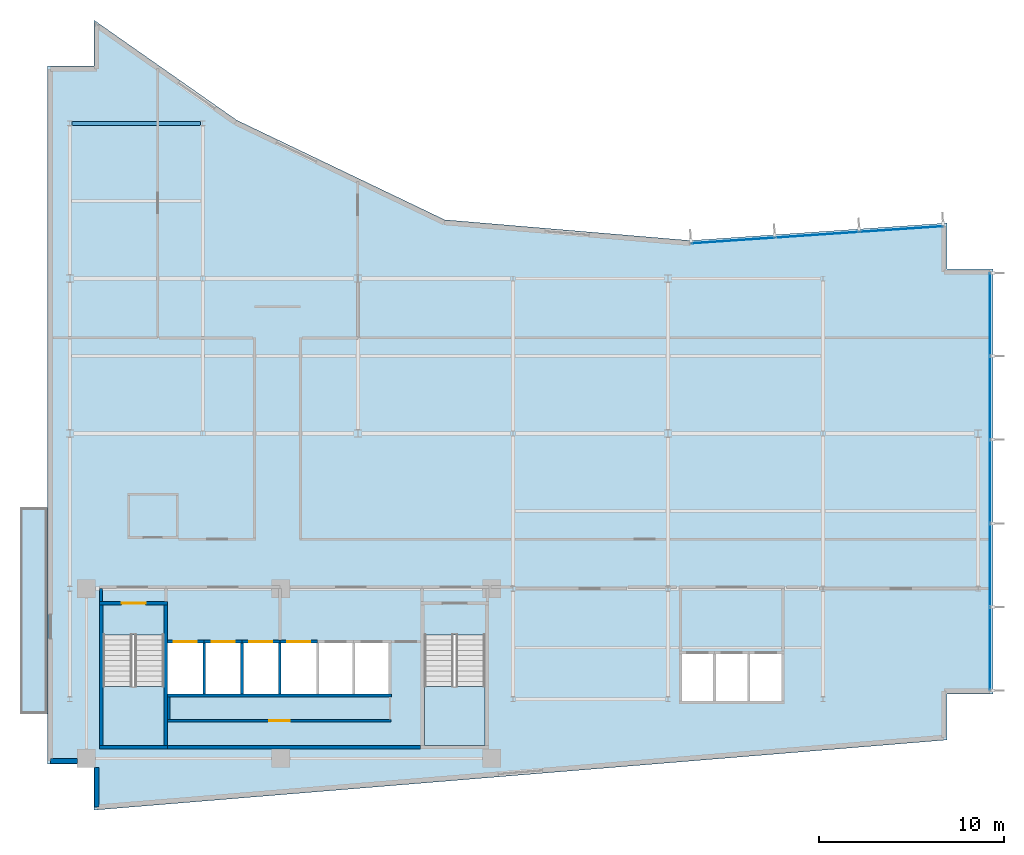
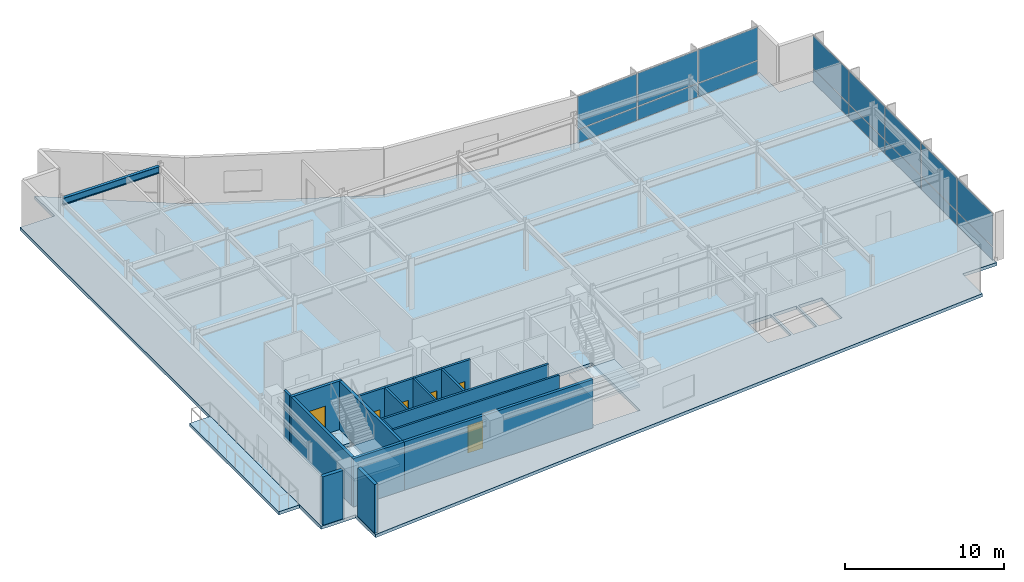
# One storey, part 10 of 16: 18 walls, 16 plates, 6 doors, 4 slabs, 1 beam, 6 openings, 4 elements without a shape of their own.
"""IFC4 building model written with IfcOpenShell, lengths in metres."""

from ifc_helpers import new_model, si_unit, direction, frame, frame_2d, origin, origin_2d, place, context, subcontext, project, spatial, polyline, rectangle, i_section, outline, extrude, material, layer, layer_set, material_profile, profile_set, type_object, element, fill, aggregate, save


model = new_model("IFC4")

# Units and contexts
model_context = context("Model", 3, precision=1e-05, world=origin(), true_north=direction((0.0, 1.0)))
body_context = subcontext(model_context, "Body", "Model", "MODEL_VIEW")
ifc_project = project(units=[si_unit("LENGTHUNIT", "METRE"), si_unit("AREAUNIT", "SQUARE_METRE"), si_unit("VOLUMEUNIT", "CUBIC_METRE"), si_unit("PLANEANGLEUNIT", "RADIAN"), si_unit("MASSUNIT", "GRAM", prefix="KILO")], contexts=[model_context])

# Site, building, storey
site_placement = place(None, origin())
site = spatial("IfcSite", under=ifc_project, at=site_placement, CompositionType="ELEMENT")
building_placement = place(site_placement, origin())
building = spatial("IfcBuilding", under=site, at=building_placement, Name="Varnakote Quay Hospital", CompositionType="ELEMENT")
storey_placement = place(building_placement, frame((0.0, 0.0, 180.25)))
storey = spatial("IfcBuildingStorey", under=building, at=storey_placement, Name="L44", CompositionType="ELEMENT", Elevation=180.25)

# Beam
ifc_material_1 = material(Name="Structural steel AS/NZS 3679.1 Grade 350 L0 (fy 340 MPa)", Category="steel")
ifc_material_profile = material_profile(ifc_material_1, i_section(OverallWidth=0.208984375, OverallDepth=0.532958984375, WebThickness=0.01025390625, FlangeThickness=0.015625, FilletRadius=0.013916015625, at=origin_2d()), Name="530UB92.4")
ifc_profile_set = profile_set([ifc_material_profile], Name="Structural steel AS/NZS 3679.1 Grade 350 L0 (fy 340 MPa)")
beam_type = type_object("IfcBeamType", Name="BM-STL-530UB92-4", PredefinedType="BEAM", material=ifc_profile_set)
beam_placement = place(storey_placement, frame((1.327880859375, 37.199951171875, 3.443603515625), z_axis=(1.0, 0.0, 0.0), x_axis=(0.0, 1.0, 0.0)))
element("IfcBeam", 1, at=beam_placement, inside=storey, type_object=beam_type, Name="L44 Primary Floor Beam", PredefinedType="BEAM", context=body_context, shape_type="SweptSolid", body=[
    extrude(i_section(OverallWidth=0.208984375, OverallDepth=0.532958984375, WebThickness=0.01025390625, FlangeThickness=0.015625, FilletRadius=0.013916015625, at=origin_2d()), origin(), (0.0, 0.0, 1.0), 6.944091796875),
])

# Curtain wall, plates
ifc_material_2 = material(Name="Anodised aluminium 6063-T6 Bronze", Category="aluminium")
ifc_layer_1 = layer(ifc_material_2, 0.219970703125)
ifc_layer_set_1 = layer_set([ifc_layer_1], Name="Anodised aluminium 6063-T6 Bronze")
curtain_wall_type = type_object("IfcCurtainWallType", Name="CW-SYS-4", PredefinedType="NOTDEFINED", material=ifc_layer_set_1)
curtain_wall_1_placement = place(storey_placement, origin())
curtain_wall_1 = element("IfcCurtainWall", 2, at=curtain_wall_1_placement, inside=storey, type_object=curtain_wall_type, Name="L44 Unitised Bronze Curtain Wall 1", PredefinedType="NOTDEFINED")
ifc_material_3 = material(Name="Double-glazed low-E solar glass", Category="glass")
ifc_layer_2 = layer(ifc_material_3, 0.028076171875)
ifc_layer_set_2 = layer_set([ifc_layer_2], Name="Double-glazed low-E solar glass")
plate_type = type_object("IfcPlateType", Name="CW-PNL-GLZ-28", PredefinedType="CURTAIN_PANEL", material=ifc_layer_set_2)
plate_1_placement = place(storey_placement, frame((51.0400390625, 8.744140625, 0.06494140625), z_axis=(0.0, 0.0, 1.0), x_axis=(0.0, 1.0, 0.0)))
plate_1 = element("IfcPlate", 3, at=plate_1_placement, type_object=plate_type, Name="-4-L44-1 panel 1.1", PredefinedType="CURTAIN_PANEL", context=body_context, shape_type="SweptSolid", body=[
    extrude(rectangle(XDim=4.4384765625, YDim=0.028076171875, at=origin_2d()), origin(), (0.0, 0.0, 1.0), 1.00244140625),
])
plate_2_placement = place(storey_placement, frame((51.0400390625, 8.744140625, 1.13232421875), z_axis=(0.0, 0.0, 1.0), x_axis=(0.0, 1.0, 0.0)))
plate_2 = element("IfcPlate", 4, at=plate_2_placement, type_object=plate_type, Name="-4-L44-1 panel 1.2", PredefinedType="CURTAIN_PANEL", context=body_context, shape_type="SweptSolid", body=[
    extrude(rectangle(XDim=4.4384765625, YDim=0.028076171875, at=origin_2d()), origin(), (0.0, 0.0, 1.0), 2.512451171875),
])
plate_3_placement = place(storey_placement, frame((51.0400390625, 13.263916015625, 0.06494140625), z_axis=(0.0, 0.0, 1.0), x_axis=(0.0, 1.0, 0.0)))
plate_3 = element("IfcPlate", 5, at=plate_3_placement, type_object=plate_type, Name="-4-L44-1 panel 2.1", PredefinedType="CURTAIN_PANEL", context=body_context, shape_type="SweptSolid", body=[
    extrude(rectangle(XDim=4.470947265625, YDim=0.028076171875, at=origin_2d()), origin(), (0.0, 0.0, 1.0), 1.00244140625),
])
plate_4_placement = place(storey_placement, frame((51.0400390625, 13.263916015625, 1.13232421875), z_axis=(0.0, 0.0, 1.0), x_axis=(0.0, 1.0, 0.0)))
plate_4 = element("IfcPlate", 6, at=plate_4_placement, type_object=plate_type, Name="-4-L44-1 panel 2.2", PredefinedType="CURTAIN_PANEL", context=body_context, shape_type="SweptSolid", body=[
    extrude(rectangle(XDim=4.470947265625, YDim=0.028076171875, at=origin_2d()), origin(), (0.0, 0.0, 1.0), 2.512451171875),
])
plate_5_placement = place(storey_placement, frame((51.0400390625, 17.800048828125, 0.06494140625), z_axis=(0.0, 0.0, 1.0), x_axis=(0.0, 1.0, 0.0)))
plate_5 = element("IfcPlate", 7, at=plate_5_placement, type_object=plate_type, Name="-4-L44-1 panel 3.1", PredefinedType="CURTAIN_PANEL", context=body_context, shape_type="SweptSolid", body=[
    extrude(rectangle(XDim=4.470947265625, YDim=0.028076171875, at=origin_2d()), origin(), (0.0, 0.0, 1.0), 1.00244140625),
])
plate_6_placement = place(storey_placement, frame((51.0400390625, 17.800048828125, 1.13232421875), z_axis=(0.0, 0.0, 1.0), x_axis=(0.0, 1.0, 0.0)))
plate_6 = element("IfcPlate", 8, at=plate_6_placement, type_object=plate_type, Name="-4-L44-1 panel 3.2", PredefinedType="CURTAIN_PANEL", context=body_context, shape_type="SweptSolid", body=[
    extrude(rectangle(XDim=4.470947265625, YDim=0.028076171875, at=origin_2d()), origin(), (0.0, 0.0, 1.0), 2.512451171875),
])
plate_7_placement = place(storey_placement, frame((51.0400390625, 22.3359375, 0.06494140625), z_axis=(0.0, 0.0, 1.0), x_axis=(0.0, 1.0, 0.0)))
plate_7 = element("IfcPlate", 9, at=plate_7_placement, type_object=plate_type, Name="-4-L44-1 panel 4.1", PredefinedType="CURTAIN_PANEL", context=body_context, shape_type="SweptSolid", body=[
    extrude(rectangle(XDim=4.470947265625, YDim=0.028076171875, at=origin_2d()), origin(), (0.0, 0.0, 1.0), 1.00244140625),
])
plate_8_placement = place(storey_placement, frame((51.0400390625, 22.3359375, 1.13232421875), z_axis=(0.0, 0.0, 1.0), x_axis=(0.0, 1.0, 0.0)))
plate_8 = element("IfcPlate", 10, at=plate_8_placement, type_object=plate_type, Name="-4-L44-1 panel 4.2", PredefinedType="CURTAIN_PANEL", context=body_context, shape_type="SweptSolid", body=[
    extrude(rectangle(XDim=4.470947265625, YDim=0.028076171875, at=origin_2d()), origin(), (0.0, 0.0, 1.0), 2.512451171875),
])
plate_9_placement = place(storey_placement, frame((51.0400390625, 26.855712890625, 0.06494140625), z_axis=(0.0, 0.0, 1.0), x_axis=(0.0, 1.0, 0.0)))
plate_9 = element("IfcPlate", 11, at=plate_9_placement, type_object=plate_type, Name="-4-L44-1 panel 5.1", PredefinedType="CURTAIN_PANEL", context=body_context, shape_type="SweptSolid", body=[
    extrude(rectangle(XDim=4.4384765625, YDim=0.028076171875, at=origin_2d()), origin(), (0.0, 0.0, 1.0), 1.00244140625),
])
plate_10_placement = place(storey_placement, frame((51.0400390625, 26.855712890625, 1.13232421875), z_axis=(0.0, 0.0, 1.0), x_axis=(0.0, 1.0, 0.0)))
plate_10 = element("IfcPlate", 12, at=plate_10_placement, type_object=plate_type, Name="-4-L44-1 panel 5.2", PredefinedType="CURTAIN_PANEL", context=body_context, shape_type="SweptSolid", body=[
    extrude(rectangle(XDim=4.4384765625, YDim=0.028076171875, at=origin_2d()), origin(), (0.0, 0.0, 1.0), 2.512451171875),
])
aggregate(curtain_wall_1, [plate_1, plate_2, plate_3, plate_4, plate_5, plate_6, plate_7, plate_8, plate_9, plate_10])

curtain_wall_2_placement = place(storey_placement, origin())
curtain_wall_2 = element("IfcCurtainWall", 13, at=curtain_wall_2_placement, inside=storey, type_object=curtain_wall_type, Name="L44 Unitised Bronze Curtain Wall 2", PredefinedType="NOTDEFINED")
plate_11_placement = place(storey_placement, frame((46.236328125, 31.47216796875, 0.06494140625), z_axis=(0.0, 0.0, 1.0), x_axis=(-0.997696087615, -0.067841851077, 0.0)))
plate_11 = element("IfcPlate", 14, at=plate_11_placement, type_object=plate_type, Name="-4-L44-2 panel 1.1", PredefinedType="CURTAIN_PANEL", context=body_context, shape_type="SweptSolid", body=[
    extrude(rectangle(XDim=4.48828125, YDim=0.028076171875, at=origin_2d()), origin(), (0.0, 0.0, 1.0), 1.00244140625),
])
plate_12_placement = place(storey_placement, frame((46.236328125, 31.47216796875, 1.13232421875), z_axis=(0.0, 0.0, 1.0), x_axis=(-0.997696087615, -0.067841851077, 0.0)))
plate_12 = element("IfcPlate", 15, at=plate_12_placement, type_object=plate_type, Name="-4-L44-2 panel 1.2", PredefinedType="CURTAIN_PANEL", context=body_context, shape_type="SweptSolid", body=[
    extrude(rectangle(XDim=4.48828125, YDim=0.028076171875, at=origin_2d()), origin(), (0.0, 0.0, 1.0), 2.512451171875),
])
plate_13_placement = place(storey_placement, frame((41.67724609375, 31.162109375, 0.06494140625), z_axis=(0.0, 0.0, 1.0), x_axis=(-0.997696087615, -0.067841851077, 0.0)))
plate_13 = element("IfcPlate", 16, at=plate_13_placement, type_object=plate_type, Name="-4-L44-2 panel 2.1", PredefinedType="CURTAIN_PANEL", context=body_context, shape_type="SweptSolid", body=[
    extrude(rectangle(XDim=4.520751953125, YDim=0.028076171875, at=origin_2d()), origin(), (0.0, 0.0, 1.0), 1.00244140625),
])
plate_14_placement = place(storey_placement, frame((41.67724609375, 31.162109375, 1.13232421875), z_axis=(0.0, 0.0, 1.0), x_axis=(-0.997696087615, -0.067841851077, 0.0)))
plate_14 = element("IfcPlate", 17, at=plate_14_placement, type_object=plate_type, Name="-4-L44-2 panel 2.2", PredefinedType="CURTAIN_PANEL", context=body_context, shape_type="SweptSolid", body=[
    extrude(rectangle(XDim=4.520751953125, YDim=0.028076171875, at=origin_2d()), origin(), (0.0, 0.0, 1.0), 2.512451171875),
])
plate_15_placement = place(storey_placement, frame((37.118408203125, 30.85205078125, 0.06494140625), z_axis=(0.0, 0.0, 1.0), x_axis=(-0.997696087615, -0.067841851077, 0.0)))
plate_15 = element("IfcPlate", 18, at=plate_15_placement, type_object=plate_type, Name="-4-L44-2 panel 3.1", PredefinedType="CURTAIN_PANEL", context=body_context, shape_type="SweptSolid", body=[
    extrude(rectangle(XDim=4.48828125, YDim=0.028076171875, at=origin_2d()), origin(), (0.0, 0.0, 1.0), 1.00244140625),
])
plate_16_placement = place(storey_placement, frame((37.118408203125, 30.85205078125, 1.13232421875), z_axis=(0.0, 0.0, 1.0), x_axis=(-0.997696087615, -0.067841851077, 0.0)))
plate_16 = element("IfcPlate", 19, at=plate_16_placement, type_object=plate_type, Name="-4-L44-2 panel 3.2", PredefinedType="CURTAIN_PANEL", context=body_context, shape_type="SweptSolid", body=[
    extrude(rectangle(XDim=4.48828125, YDim=0.028076171875, at=origin_2d()), origin(), (0.0, 0.0, 1.0), 2.512451171875),
])
aggregate(curtain_wall_2, [plate_11, plate_12, plate_13, plate_14, plate_15, plate_16])

# Stair, slab
ifc_material_4 = material(Name="Concrete N40 (f'c 40 MPa)", Category="concrete")
stair_type = type_object("IfcStairType", Name="STR-CORE-1580", PredefinedType="HALF_TURN_STAIR", material=ifc_material_4)
stair_1_placement = place(storey_placement, origin())
stair_1 = element("IfcStair", 20, at=stair_1_placement, inside=storey, type_object=stair_type, Name="L44 Fire-Isolated Exit Stair ST-01", PredefinedType="HALF_TURN_STAIR")
ifc_material_5 = material(Name="Concrete N40 (f'c 40 MPa)", Category="concrete")
ifc_layer_3 = layer(ifc_material_5, 0.199951171875)
ifc_layer_set_3 = layer_set([ifc_layer_3], Name="Concrete N40 (f'c 40 MPa)")
slab_type_1 = type_object("IfcSlabType", Name="SLB-STAIR-LND-200", PredefinedType="LANDING", material=ifc_layer_set_3)
slab_1_placement = place(storey_placement, frame((0.0, 0.0, 1.77490234375)))
slab_1 = element("IfcSlab", 21, at=slab_1_placement, type_object=slab_type_1, Name="ST-01 landing 1", PredefinedType="LANDING", context=body_context, shape_type="SweptSolid", body=[
    extrude(outline(polyline([(3.0, 6.699951171875), (3.0, 3.5), (6.300048828125, 3.5), (6.300048828125, 6.699951171875), (3.0, 6.699951171875)])), origin(), (0.0, 0.0, 1.0), 0.2001953125),
])
aggregate(stair_1, [slab_1])

stair_2_placement = place(storey_placement, origin())
stair_2 = element("IfcStair", 22, at=stair_2_placement, inside=storey, type_object=stair_type, Name="L44 Fire-Isolated Exit Stair ST-02", PredefinedType="HALF_TURN_STAIR")
slab_2_placement = place(storey_placement, frame((0.0, 0.0, 1.77490234375)))
slab_2 = element("IfcSlab", 23, at=slab_2_placement, type_object=slab_type_1, Name="ST-02 landing 1", PredefinedType="LANDING", context=body_context, shape_type="SweptSolid", body=[
    extrude(outline(polyline([(20.39990234375, 6.699951171875), (20.39990234375, 3.5), (23.699951171875, 3.5), (23.699951171875, 6.699951171875), (20.39990234375, 6.699951171875)])), origin(), (0.0, 0.0, 1.0), 0.2001953125),
])
aggregate(stair_2, [slab_2])

# Slabs
ifc_material_6 = material(Name="Concrete N50 (f'c 50 MPa)", Category="concrete")
ifc_layer_4 = layer(ifc_material_6, 0.239990234375)
ifc_layer_set_4 = layer_set([ifc_layer_4], Name="Concrete N50 (f'c 50 MPa)")
slab_type_2 = type_object("IfcSlabType", Name="SLB-TERR-200", PredefinedType="FLOOR", material=ifc_layer_set_4)
slab_3_placement = place(storey_placement, frame((0.0, 0.0, -0.239990234375)))
element("IfcSlab", 24, at=slab_3_placement, inside=storey, type_object=slab_type_2, Name="L44 Waterfront Healing Terrace Slab", PredefinedType="FLOOR", context=body_context, shape_type="SweptSolid", body=[
    extrude(outline(polyline([(0.00390625, 5.199951171875), (0.00390625, 16.39990234375), (-1.5, 16.39990234375), (-1.5, 5.199951171875), (0.00390625, 5.199951171875)])), origin(), (0.0, 0.0, 1.0), 0.239990234375),
])
ifc_material_7 = material(Name="Concrete N50 (f'c 50 MPa)", Category="concrete")
ifc_layer_5 = layer(ifc_material_7, 0.239990234375)
ifc_layer_set_5 = layer_set([ifc_layer_5], Name="Concrete N50 (f'c 50 MPa)")
slab_type_3 = type_object("IfcSlabType", Name="SLB-WARD-200", PredefinedType="FLOOR", material=ifc_layer_set_5)
slab_4_placement = place(storey_placement, frame((0.0, 0.0, -0.239990234375)))
element("IfcSlab", 25, at=slab_4_placement, inside=storey, type_object=slab_type_3, Name="L44 Primary Floor Slab", PredefinedType="FLOOR", context=body_context, shape_type="SweptSolid", body=[
    extrude(outline(polyline([(0.0, 2.5), (2.5, 2.5), (2.5, 0.0), (48.699951171875, 3.800048828125), (48.699951171875, 6.300048828125), (51.199951171875, 6.300048828125), (51.199951171875, 29.300048828125), (48.699951171875, 29.300048828125), (48.699951171875, 31.800048828125), (34.81591796875, 30.85595703125), (21.50390625, 31.97998046875), (10.239990234375, 37.3759765625), (2.5, 42.800048828125), (2.5, 40.300048828125), (0.0, 40.300048828125), (0.0, 2.5)]), holes=[polyline([(3.0, 3.5), (6.300048828125, 3.5), (6.300048828125, 9.49951171875), (3.0, 9.49951171875), (3.0, 3.5)]), polyline([(20.39990234375, 3.5), (23.699951171875, 3.5), (23.699951171875, 9.49951171875), (20.39990234375, 9.49951171875), (20.39990234375, 3.5)]), polyline([(6.5, 6.300048828125), (8.39990234375, 6.300048828125), (8.39990234375, 9.050048828125), (6.5, 9.050048828125), (6.5, 6.300048828125)]), polyline([(8.550048828125, 6.300048828125), (10.449951171875, 6.300048828125), (10.449951171875, 9.050048828125), (8.550048828125, 9.050048828125), (8.550048828125, 6.300048828125)]), polyline([(10.60009765625, 6.300048828125), (12.5, 6.300048828125), (12.5, 9.050048828125), (10.60009765625, 9.050048828125), (10.60009765625, 6.300048828125)]), polyline([(12.64990234375, 6.300048828125), (14.550048828125, 6.300048828125), (14.550048828125, 9.050048828125), (12.64990234375, 9.050048828125), (12.64990234375, 6.300048828125)]), polyline([(14.699951171875, 6.300048828125), (16.5, 6.300048828125), (16.5, 9.050048828125), (14.699951171875, 9.050048828125), (14.699951171875, 6.300048828125)]), polyline([(16.64990234375, 6.300048828125), (18.449951171875, 6.300048828125), (18.449951171875, 9.050048828125), (16.64990234375, 9.050048828125), (16.64990234375, 6.300048828125)]), polyline([(34.35009765625, 5.89990234375), (36.050048828125, 5.89990234375), (36.050048828125, 8.449951171875), (34.35009765625, 8.449951171875), (34.35009765625, 5.89990234375)]), polyline([(36.199951171875, 5.89990234375), (37.89990234375, 5.89990234375), (37.89990234375, 8.449951171875), (36.199951171875, 8.449951171875), (36.199951171875, 5.89990234375)]), polyline([(38.050048828125, 5.89990234375), (39.75, 5.89990234375), (39.75, 8.449951171875), (38.050048828125, 8.449951171875), (38.050048828125, 5.89990234375)])]), origin(), (0.0, 0.0, 1.0), 0.239990234375),
])

# Walls
ifc_material_8 = material(Name="Fire-rated acoustic gypsum stud wall", Category="gypsum")
ifc_layer_6 = layer(ifc_material_8, 0.159912109375)
ifc_layer_set_6 = layer_set([ifc_layer_6], Name="Fire-rated acoustic gypsum stud wall")
wall_type_1 = type_object("IfcWallType", Name="WL-COMP-160", PredefinedType="PARTITIONING", material=ifc_layer_set_6)
wall_1_placement = place(storey_placement, frame((2.8798828125, 11.300048828125, 0.0), z_axis=(0.0, 0.0, 1.0), x_axis=(0.0, 1.0, 0.0)))
element("IfcWall", 26, at=wall_1_placement, inside=storey, type_object=wall_type_1, Name="L44 West Stair Vestibule West Wall", PredefinedType="PARTITIONING", context=body_context, shape_type="SweptSolid", body=[
    extrude(rectangle(XDim=0.699951171875, YDim=0.159912109375, at=frame_2d((0.35009765625, 0.0))), origin(), (0.0, 0.0, 1.0), 3.7099609375),
])
ifc_material_9 = material(Name="Concrete N50 (f'c 50 MPa)", Category="concrete")
ifc_layer_7 = layer(ifc_material_9, 0.199951171875)
ifc_layer_set_7 = layer_set([ifc_layer_7], Name="Concrete N50 (f'c 50 MPa)")
wall_type_2 = type_object("IfcWallType", Name="WL-CORE-N50-200", PredefinedType="SHEAR", material=ifc_layer_set_7)
wall_2_placement = place(storey_placement, frame((6.5, 3.39990234375, 0.0), z_axis=(0.0, 0.0, 1.0), x_axis=(1.0, 0.0, 0.0)))
element("IfcWall", 27, at=wall_2_placement, inside=storey, type_object=wall_type_2, Name="L44 Rear Core South Shear Wall", PredefinedType="SHEAR", context=body_context, shape_type="SweptSolid", body=[
    extrude(rectangle(XDim=13.699951171875, YDim=0.199951171875, at=frame_2d((6.85009765625, 0.0))), origin(), (0.0, 0.0, 1.0), 3.7099609375),
])
ifc_material_10 = material(Name="Precast concrete N50 (f'c 50 MPa)", Category="concrete")
ifc_layer_8 = layer(ifc_material_10, 0.260009765625)
ifc_layer_set_8 = layer_set([ifc_layer_8], Name="Precast concrete N50 (f'c 50 MPa)")
wall_type_3 = type_object("IfcWallType", Name="WL-EXT-BRICK-260", PredefinedType="STANDARD", material=ifc_layer_set_8)
wall_3_placement = place(storey_placement, frame((2.659912109375, 2.31494140625, 0.0), z_axis=(0.0, 0.0, 1.0), x_axis=(0.0, -1.0, 0.0)))
element("IfcWall", 28, at=wall_3_placement, inside=storey, type_object=wall_type_3, Name="L44 Brick-Faced Precast Exterior Wall", PredefinedType="STANDARD", context=body_context, shape_type="SweptSolid", body=[
    extrude(rectangle(XDim=2.141357421875, YDim=0.260009765625, at=frame_2d((1.07080078125, 0.0))), origin(), (0.0, 0.0, 1.0), 3.7099609375),
])
wall_4_placement = place(storey_placement, frame((0.159912109375, 2.659912109375, 0.0), z_axis=(0.0, 0.0, 1.0), x_axis=(1.0, 0.0, 0.0)))
element("IfcWall", 29, at=wall_4_placement, inside=storey, type_object=wall_type_3, Name="L44 Brick-Faced Precast Exterior Wall", PredefinedType="STANDARD", context=body_context, shape_type="SweptSolid", body=[
    extrude(rectangle(XDim=1.455078125, YDim=0.260009765625, at=frame_2d((0.7275390625, 0.0))), origin(), (0.0, 0.0, 1.0), 3.7099609375),
])
ifc_material_11 = material(Name="Concrete N50 (f'c 50 MPa)", Category="concrete")
ifc_layer_9 = layer(ifc_material_11, 0.14990234375)
ifc_layer_set_9 = layer_set([ifc_layer_9], Name="Concrete N50 (f'c 50 MPa)")
wall_type_4 = type_object("IfcWallType", Name="WL-SHAFT-N50-150", PredefinedType="SHEAR", material=ifc_layer_set_9)
for number, where, z_axis, x_axis, name in (
    (30, (8.47509765625, 6.300048828125, 0.0), (0.0, 0.0, 1.0), (0.0, 1.0, 0.0), "L44 LF-FF1 Hoistway Divider Wall"),
    (31, (10.52490234375, 6.300048828125, 0.0), (0.0, 0.0, 1.0), (0.0, 1.0, 0.0), "L44 LF-FF2 Hoistway Divider Wall"),
    (32, (12.574951171875, 6.300048828125, 0.0), (0.0, 0.0, 1.0), (0.0, 1.0, 0.0), "L44 LF-SV1 Hoistway Divider Wall"),
):
    element("IfcWall", number, at=place(storey_placement, frame(where, z_axis=z_axis, x_axis=x_axis)), inside=storey, type_object=wall_type_4, Name=name, PredefinedType="SHEAR", context=body_context, shape_type="SweptSolid", body=[
        extrude(rectangle(XDim=2.75, YDim=0.14990234375, at=frame_2d((1.375, 0.0))), origin(), (0.0, 0.0, 1.0), 3.7099609375),
    ])
ifc_material_12 = material(Name="Concrete N50 (f'c 50 MPa)", Category="concrete")
ifc_layer_10 = layer(ifc_material_12, 0.159912109375)
ifc_layer_set_10 = layer_set([ifc_layer_10], Name="Concrete N50 (f'c 50 MPa)")
wall_type_5 = type_object("IfcWallType", Name="WL-SHAFT-N50-160", PredefinedType="SHEAR", material=ifc_layer_set_10)
wall_5_placement = place(storey_placement, frame((6.5, 6.219970703125, 0.0), z_axis=(0.0, 0.0, 1.0), x_axis=(1.0, 0.0, 0.0)))
element("IfcWall", 33, at=wall_5_placement, inside=storey, type_object=wall_type_5, Name="L44 REAR Lift Bank Back Shear Wall", PredefinedType="SHEAR", context=body_context, shape_type="SweptSolid", body=[
    extrude(rectangle(XDim=12.110107421875, YDim=0.159912109375, at=frame_2d((6.05517578125, 0.0))), origin(), (0.0, 0.0, 1.0), 3.7099609375),
])

# Wall, opening, door
wall_6_placement = place(storey_placement, frame((6.5, 9.1298828125, 0.0), z_axis=(0.0, 0.0, 1.0), x_axis=(1.0, 0.0, 0.0)))
wall_6 = element("IfcWall", 34, at=wall_6_placement, inside=storey, type_object=wall_type_5, Name="L44 LF-FF1 Hoistway Front Wall", PredefinedType="SHEAR", context=body_context, shape_type="SweptSolid", body=[
    extrude(rectangle(XDim=1.97509765625, YDim=0.159912109375, at=frame_2d((0.987548828125, 0.0))), origin(), (0.0, 0.0, 1.0), 3.7099609375),
])
opening_1_placement = place(wall_6_placement, frame((0.324951171875, 0.0, 0.0)))
opening_1 = element("IfcOpeningElement", 35, at=opening_1_placement, cuts=wall_6, Name="Opening LD-FF1-L44", PredefinedType="OPENING", context=body_context, shape_type="SweptSolid", body=[
    extrude(rectangle(XDim=1.25, YDim=2.14990234375, at=frame_2d((0.625, 1.074951171875))), frame((0.0, 0.08984375, 0.0), z_axis=(0.0, -1.0, 0.0), x_axis=(1.0, 0.0, 0.0)), (0.0, 0.0, 1.0), 0.179931640625),
])
ifc_material_13 = material(Name="Stainless steel lift landing sliding door", Category="steel")
door_type_1 = type_object("IfcDoorType", Name="DR-LIFT-LD-1250x2150", OperationType="NOTDEFINED", PredefinedType="DOOR", material=ifc_material_13)
door_1_placement = place(opening_1_placement, origin())
door_1 = element("IfcDoor", 36, at=door_1_placement, inside=storey, type_object=door_type_1, Name="L44 LF-FF1 Lift Landing Sliding Door", OperationType="SLIDING_TO_LEFT", OverallHeight=2.14990234375, OverallWidth=1.25, PredefinedType="DOOR", context=body_context, shape_type="SweptSolid", body=[
    extrude(rectangle(XDim=1.25, YDim=2.14990234375, at=frame_2d((0.625, 1.074951171875))), frame((0.0, 0.02490234375, 0.0), z_axis=(0.0, -1.0, 0.0), x_axis=(1.0, 0.0, 0.0)), (0.0, 0.0, 1.0), 0.050048828125),
])
fill(opening_1, door_1)

wall_7_placement = place(storey_placement, frame((8.47509765625, 9.1298828125, 0.0), z_axis=(0.0, 0.0, 1.0), x_axis=(1.0, 0.0, 0.0)))
wall_7 = element("IfcWall", 37, at=wall_7_placement, inside=storey, type_object=wall_type_5, Name="L44 LF-FF2 Hoistway Front Wall", PredefinedType="SHEAR", context=body_context, shape_type="SweptSolid", body=[
    extrude(rectangle(XDim=2.0498046875, YDim=0.159912109375, at=frame_2d((1.02490234375, 0.0))), origin(), (0.0, 0.0, 1.0), 3.7099609375),
])
opening_2_placement = place(wall_7_placement, frame((0.39990234375, 0.0, 0.0)))
opening_2 = element("IfcOpeningElement", 38, at=opening_2_placement, cuts=wall_7, Name="Opening LD-FF2-L44", PredefinedType="OPENING", context=body_context, shape_type="SweptSolid", body=[
    extrude(rectangle(XDim=1.25, YDim=2.14990234375, at=frame_2d((0.625, 1.074951171875))), frame((0.0, 0.08984375, 0.0), z_axis=(0.0, -1.0, 0.0), x_axis=(1.0, 0.0, 0.0)), (0.0, 0.0, 1.0), 0.179931640625),
])
door_2_placement = place(opening_2_placement, origin())
door_2 = element("IfcDoor", 39, at=door_2_placement, inside=storey, type_object=door_type_1, Name="L44 LF-FF2 Lift Landing Sliding Door", OperationType="SLIDING_TO_LEFT", OverallHeight=2.14990234375, OverallWidth=1.25, PredefinedType="DOOR", context=body_context, shape_type="SweptSolid", body=[
    extrude(rectangle(XDim=1.25, YDim=2.14990234375, at=frame_2d((0.625, 1.074951171875))), frame((0.0, 0.02490234375, 0.0), z_axis=(0.0, -1.0, 0.0), x_axis=(1.0, 0.0, 0.0)), (0.0, 0.0, 1.0), 0.050048828125),
])
fill(opening_2, door_2)

wall_8_placement = place(storey_placement, frame((10.52490234375, 9.1298828125, 0.0), z_axis=(0.0, 0.0, 1.0), x_axis=(1.0, 0.0, 0.0)))
wall_8 = element("IfcWall", 40, at=wall_8_placement, inside=storey, type_object=wall_type_5, Name="L44 LF-SV1 Hoistway Front Wall", PredefinedType="SHEAR", context=body_context, shape_type="SweptSolid", body=[
    extrude(rectangle(XDim=2.050048828125, YDim=0.159912109375, at=frame_2d((1.02490234375, 0.0))), origin(), (0.0, 0.0, 1.0), 3.7099609375),
])
opening_3_placement = place(wall_8_placement, frame((0.39990234375, 0.0, 0.0)))
opening_3 = element("IfcOpeningElement", 41, at=opening_3_placement, cuts=wall_8, Name="Opening LD-SV1-L44", PredefinedType="OPENING", context=body_context, shape_type="SweptSolid", body=[
    extrude(rectangle(XDim=1.25, YDim=2.14990234375, at=frame_2d((0.625, 1.074951171875))), frame((0.0, 0.08984375, 0.0), z_axis=(0.0, -1.0, 0.0), x_axis=(1.0, 0.0, 0.0)), (0.0, 0.0, 1.0), 0.179931640625),
])
door_3_placement = place(opening_3_placement, origin())
door_3 = element("IfcDoor", 42, at=door_3_placement, inside=storey, type_object=door_type_1, Name="L44 LF-SV1 Lift Landing Sliding Door", OperationType="SLIDING_TO_LEFT", OverallHeight=2.14990234375, OverallWidth=1.25, PredefinedType="DOOR", context=body_context, shape_type="SweptSolid", body=[
    extrude(rectangle(XDim=1.25, YDim=2.14990234375, at=frame_2d((0.625, 1.074951171875))), frame((0.0, 0.02490234375, 0.0), z_axis=(0.0, -1.0, 0.0), x_axis=(1.0, 0.0, 0.0)), (0.0, 0.0, 1.0), 0.050048828125),
])
fill(opening_3, door_3)

wall_9_placement = place(storey_placement, frame((12.574951171875, 9.1298828125, 0.0), z_axis=(0.0, 0.0, 1.0), x_axis=(1.0, 0.0, 0.0)))
wall_9 = element("IfcWall", 43, at=wall_9_placement, inside=storey, type_object=wall_type_5, Name="L44 LF-SV2 Hoistway Front Wall", PredefinedType="SHEAR", context=body_context, shape_type="SweptSolid", body=[
    extrude(rectangle(XDim=2.050048828125, YDim=0.159912109375, at=frame_2d((1.02490234375, 0.0))), origin(), (0.0, 0.0, 1.0), 3.7099609375),
])
opening_4_placement = place(wall_9_placement, frame((0.39990234375, 0.0, 0.0)))
opening_4 = element("IfcOpeningElement", 44, at=opening_4_placement, cuts=wall_9, Name="Opening LD-SV2-L44", PredefinedType="OPENING", context=body_context, shape_type="SweptSolid", body=[
    extrude(rectangle(XDim=1.25, YDim=2.14990234375, at=frame_2d((0.625, 1.074951171875))), frame((0.0, 0.08984375, 0.0), z_axis=(0.0, -1.0, 0.0), x_axis=(1.0, 0.0, 0.0)), (0.0, 0.0, 1.0), 0.179931640625),
])
door_4_placement = place(opening_4_placement, origin())
door_4 = element("IfcDoor", 45, at=door_4_placement, inside=storey, type_object=door_type_1, Name="L44 LF-SV2 Lift Landing Sliding Door", OperationType="SLIDING_TO_LEFT", OverallHeight=2.14990234375, OverallWidth=1.25, PredefinedType="DOOR", context=body_context, shape_type="SweptSolid", body=[
    extrude(rectangle(XDim=1.25, YDim=2.14990234375, at=frame_2d((0.625, 1.074951171875))), frame((0.0, 0.02490234375, 0.0), z_axis=(0.0, -1.0, 0.0), x_axis=(1.0, 0.0, 0.0)), (0.0, 0.0, 1.0), 0.050048828125),
])
fill(opening_4, door_4)

# Walls
ifc_material_14 = material(Name="Concrete N50 (f'c 50 MPa)", Category="concrete")
ifc_layer_11 = layer(ifc_material_14, 0.199951171875)
ifc_layer_set_11 = layer_set([ifc_layer_11], Name="Concrete N50 (f'c 50 MPa)")
wall_type_6 = type_object("IfcWallType", Name="WL-SHAFT-N50-200", PredefinedType="SHEAR", material=ifc_layer_set_11)
wall_10_placement = place(storey_placement, frame((2.800048828125, 3.39990234375, 0.0), z_axis=(0.0, 0.0, 1.0), x_axis=(1.0, 0.0, 0.0)))
element("IfcWall", 46, at=wall_10_placement, inside=storey, type_object=wall_type_6, Name="L44 Stair ST1 South Shaft Wall", PredefinedType="SHEAR", context=body_context, shape_type="SweptSolid", body=[
    extrude(rectangle(XDim=3.699951171875, YDim=0.199951171875, at=frame_2d((1.85009765625, 0.0))), origin(), (0.0, 0.0, 1.0), 3.7099609375),
])
for number, where, z_axis, x_axis, name in (
    (47, (2.89990234375, 3.5, 0.0), (0.0, 0.0, 1.0), (0.0, 1.0, 0.0), "L44 Stair ST1 West Shaft Wall"),
    (48, (6.39990234375, 3.5, 0.0), (0.0, 0.0, 1.0), (0.0, 1.0, 0.0), "L44 Stair ST1 East Shaft Wall"),
):
    element("IfcWall", number, at=place(storey_placement, frame(where, z_axis=z_axis, x_axis=x_axis)), inside=storey, type_object=wall_type_6, Name=name, PredefinedType="SHEAR", context=body_context, shape_type="SweptSolid", body=[
        extrude(rectangle(XDim=7.60009765625, YDim=0.199951171875, at=frame_2d((3.800048828125, 0.0))), origin(), (0.0, 0.0, 1.0), 3.7099609375),
    ])

# Wall, opening, door
wall_11_placement = place(storey_placement, frame((2.800048828125, 11.199951171875, 0.0), z_axis=(0.0, 0.0, 1.0), x_axis=(1.0, 0.0, 0.0)))
wall_11 = element("IfcWall", 49, at=wall_11_placement, inside=storey, type_object=wall_type_6, Name="L44 Stair ST1 Exit Wall", PredefinedType="SHEAR", context=body_context, shape_type="SweptSolid", body=[
    extrude(rectangle(XDim=3.699951171875, YDim=0.199951171875, at=frame_2d((1.85009765625, 0.0))), origin(), (0.0, 0.0, 1.0), 3.7099609375),
])
opening_5_placement = place(wall_11_placement, frame((1.199951171875, 0.0, 0.0)))
opening_5 = element("IfcOpeningElement", 50, at=opening_5_placement, cuts=wall_11, Name="Opening D-ST1-L44", PredefinedType="OPENING", context=body_context, shape_type="SweptSolid", body=[
    extrude(rectangle(XDim=1.300048828125, YDim=2.14990234375, at=frame_2d((0.64990234375, 1.074951171875))), frame((0.0, 0.10986328125, 0.0), z_axis=(0.0, -1.0, 0.0), x_axis=(1.0, 0.0, 0.0)), (0.0, 0.0, 1.0), 0.219970703125),
])
ifc_material_15 = material(Name="Fire-rated ceramic-glazed timber exit door", Category="wood")
door_type_2 = type_object("IfcDoorType", Name="DR-STAIR-FD60S-1300x2150", OperationType="NOTDEFINED", PredefinedType="DOOR", material=ifc_material_15)
door_5_placement = place(opening_5_placement, origin())
door_5 = element("IfcDoor", 51, at=door_5_placement, inside=storey, type_object=door_type_2, Name="L44 Stair ST1 Fire Exit Door", OperationType="SINGLE_SWING_RIGHT", OverallHeight=2.14990234375, OverallWidth=1.300048828125, PredefinedType="DOOR", context=body_context, shape_type="SweptSolid", body=[
    extrude(rectangle(XDim=1.300048828125, YDim=2.14990234375, at=frame_2d((0.64990234375, 1.074951171875))), frame((0.0, 0.02490234375, 0.0), z_axis=(0.0, -1.0, 0.0), x_axis=(1.0, 0.0, 0.0)), (0.0, 0.0, 1.0), 0.050048828125),
])
fill(opening_5, door_5)

# Wall
ifc_material_16 = material(Name="Smoke-proof clinical partition", Category="gypsum")
ifc_layer_12 = layer(ifc_material_16, 0.1201171875)
ifc_layer_set_12 = layer_set([ifc_layer_12], Name="Smoke-proof clinical partition")
wall_type_7 = type_object("IfcWallType", Name="WL-SMOKE-120", PredefinedType="PARTITIONING", material=ifc_layer_set_12)
wall_12_placement = place(storey_placement, frame((6.56005859375, 4.919921875, 0.0), z_axis=(0.0, 0.0, 1.0), x_axis=(0.0, 1.0, 0.0)))
element("IfcWall", 52, at=wall_12_placement, inside=storey, type_object=wall_type_7, Name="L44 Core Service Strip West Wall", PredefinedType="PARTITIONING", context=body_context, shape_type="SweptSolid", body=[
    extrude(rectangle(XDim=1.219970703125, YDim=0.1201171875, at=frame_2d((0.60986328125, 0.0))), origin(), (0.0, 0.0, 1.0), 3.7099609375),
])

# Wall, opening, door
ifc_material_17 = material(Name="Fire-rated clinical gypsum partition", Category="gypsum")
ifc_layer_13 = layer(ifc_material_17, 0.139892578125)
ifc_layer_set_13 = layer_set([ifc_layer_13], Name="Fire-rated clinical gypsum partition")
wall_type_8 = type_object("IfcWallType", Name="WL-WARD-140", PredefinedType="PARTITIONING", material=ifc_layer_set_13)
wall_13_placement = place(storey_placement, frame((6.5, 4.85009765625, 0.0), z_axis=(0.0, 0.0, 1.0), x_axis=(1.0, 0.0, 0.0)))
wall_13 = element("IfcWall", 53, at=wall_13_placement, inside=storey, type_object=wall_type_8, Name="L44 Core Clean Linen Store South Wall", PredefinedType="PARTITIONING", context=body_context, shape_type="SweptSolid", body=[
    extrude(rectangle(XDim=12.10009765625, YDim=0.139892578125, at=frame_2d((6.050048828125, 0.0))), origin(), (0.0, 0.0, 1.0), 3.7099609375),
])
opening_6_placement = place(wall_13_placement, frame((5.5, 0.0, 0.0)))
opening_6 = element("IfcOpeningElement", 54, at=opening_6_placement, cuts=wall_13, Name="Opening D-L44-CR01", PredefinedType="OPENING", context=body_context, shape_type="SweptSolid", body=[
    extrude(rectangle(XDim=1.10009765625, YDim=2.10009765625, at=frame_2d((0.550048828125, 1.050048828125))), frame((0.0, 0.079833984375, 0.0), z_axis=(0.0, -1.0, 0.0), x_axis=(1.0, 0.0, 0.0)), (0.0, 0.0, 1.0), 0.159912109375),
])
ifc_material_18 = material(Name="Acoustic timber clinical consult door", Category="wood")
door_type_3 = type_object("IfcDoorType", Name="DR-CLIN-FD30S-1100x2100", OperationType="NOTDEFINED", PredefinedType="DOOR", material=ifc_material_18)
door_6_placement = place(opening_6_placement, origin())
door_6 = element("IfcDoor", 55, at=door_6_placement, inside=storey, type_object=door_type_3, Name="L44 Core Clean Linen Store Door", OperationType="SINGLE_SWING_RIGHT", OverallHeight=2.10009765625, OverallWidth=1.10009765625, PredefinedType="DOOR", context=body_context, shape_type="SweptSolid", body=[
    extrude(rectangle(XDim=1.10009765625, YDim=2.10009765625, at=frame_2d((0.550048828125, 1.050048828125))), frame((0.0, 0.02490234375, 0.0), z_axis=(0.0, -1.0, 0.0), x_axis=(1.0, 0.0, 0.0)), (0.0, 0.0, 1.0), 0.050048828125),
])
fill(opening_6, door_6)

save(model, "model.ifc")
